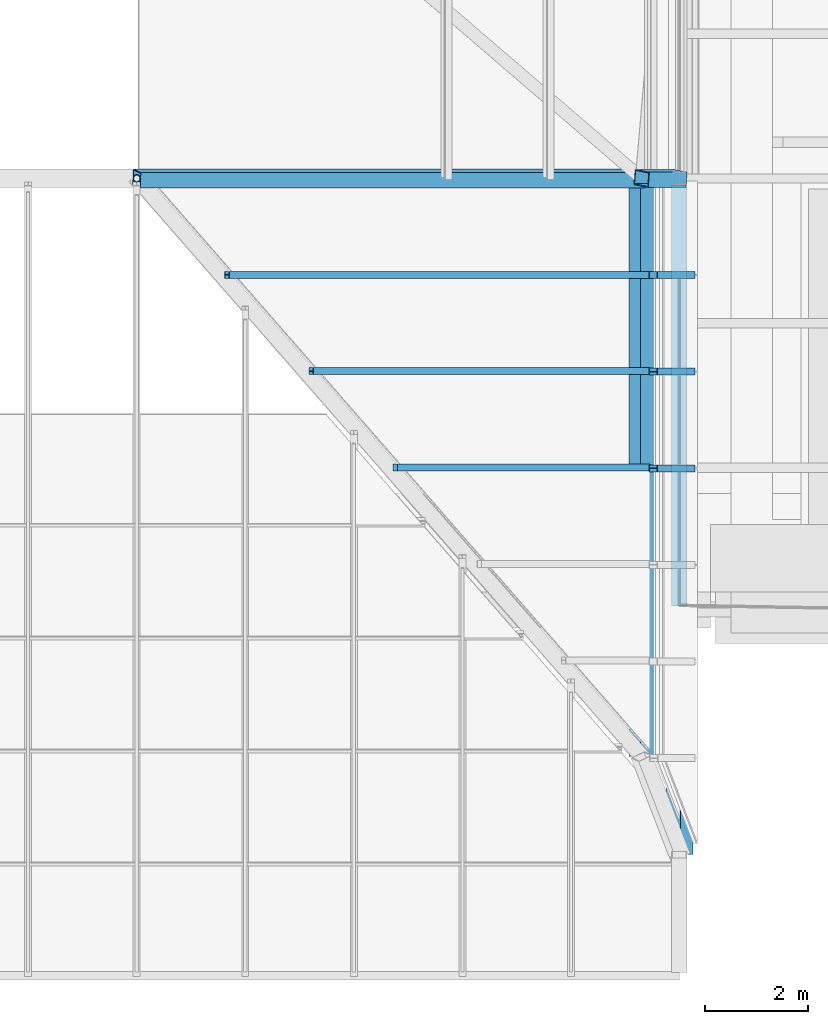
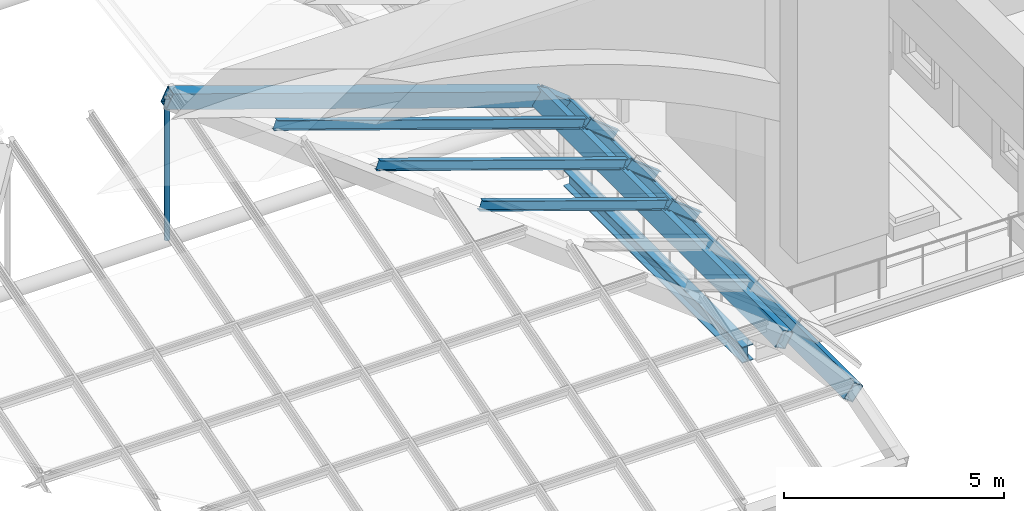
# One storey, part 22 of 76: 7 members, 5 beams.
"""IFC4 building model written with IfcOpenShell, lengths in metres."""

import ifcopenshell
import ifcopenshell.guid

model = None  # the IFC model being written
_history = None  # IfcOwnerHistory: only IFC2X3 demands one
_inside = {}  # id of a spatial element -> (the spatial element, [elements in it])
_under = {}  # id of a project, library or spatial element -> (it, [spatial elements below it])
_declared = {}  # id of a project -> (the project, [libraries it declares])
_typed = {}  # id of a type object -> (the type object, [elements of that type])
_made_of = {}  # id of a material, layer set ... -> (it, [elements and type objects made of it])


def new_model(schema):
    """Start an empty IFC model of exactly this schema.

    Asked for "IFC4X3", IfcOpenShell would pick the latest addendum, in which some entities
    have other attributes; the version numbers below select the first issue.
    IFC2X3 requires an IfcOwnerHistory on every rooted entity: one is made here for all.
    """
    global model, _history
    if schema == "IFC4X3":
        model = ifcopenshell.file(schema_version=(4, 3, 0, 0))
    else:
        model = ifcopenshell.file(schema=schema)
    _inside.clear()
    _under.clear()
    _declared.clear()
    _typed.clear()
    _made_of.clear()
    _history = None
    if model.schema == "IFC2X3":
        org = make("IfcOrganization", Name="unknown")
        user = make(
            "IfcPersonAndOrganization",
            ThePerson=make("IfcPerson", FamilyName="unknown"),
            TheOrganization=org,
        )
        app = make(
            "IfcApplication",
            ApplicationDeveloper=org,
            Version="unknown",
            ApplicationFullName="unknown",
            ApplicationIdentifier="unknown",
        )
        _history = make(
            "IfcOwnerHistory",
            OwningUser=user,
            OwningApplication=app,
            ChangeAction="ADDED",
            CreationDate=0,
        )
    return model


def make(cls, **values):
    """One entity of the class cls with the attributes given. An attribute that is None is left unset."""
    return model.create_entity(
        cls, **{name: value for name, value in values.items() if value is not None}
    )


def rooted(cls, **values):
    """An entity with a GlobalId (a new one), such as an element, a storey or a relation."""
    return make(cls, GlobalId=ifcopenshell.guid.new(), OwnerHistory=_history, **values)


def si_unit(unit_type, name, prefix=None):
    """IfcSIUnit, for example si_unit("LENGTHUNIT", "METRE", prefix="MILLI")."""
    return make("IfcSIUnit", UnitType=unit_type, Prefix=prefix, Name=name)


def assignment(units):
    """IfcUnitAssignment: the units of a project."""
    return None if units is None else make("IfcUnitAssignment", Units=units)


def point(xyz):
    """IfcCartesianPoint."""
    return None if xyz is None else make("IfcCartesianPoint", Coordinates=xyz)


def direction(xyz):
    """IfcDirection."""
    return None if xyz is None else make("IfcDirection", DirectionRatios=xyz)


def frame(location, z_axis=None, x_axis=None):
    """IfcAxis2Placement3D, a coordinate frame: its origin and axes. An axis left out is left unset."""
    return make(
        "IfcAxis2Placement3D",
        Location=point(location),
        Axis=direction(z_axis),
        RefDirection=direction(x_axis),
    )


def frame_2d(location, x_axis=None):
    """IfcAxis2Placement2D, a coordinate frame in the plane: its origin and x axis."""
    return make(
        "IfcAxis2Placement2D", Location=point(location), RefDirection=direction(x_axis)
    )


def origin():
    """The frame at (0, 0, 0) with its axes left unset."""
    return frame((0.0, 0.0, 0.0))


def origin_2d():
    """The frame at (0, 0) in the plane with its x axis left unset."""
    return frame_2d((0.0, 0.0))


def place(relative_to, where):
    """IfcLocalPlacement: puts the frame where relative to a parent placement (None: the world)."""
    return make(
        "IfcLocalPlacement", PlacementRelTo=relative_to, RelativePlacement=where
    )


def context(
    kind, dimensions, precision=None, world=None, true_north=None, identifier=None
):
    """IfcGeometricRepresentationContext, for example the 3D "Model" context."""
    return make(
        "IfcGeometricRepresentationContext",
        ContextIdentifier=identifier,
        ContextType=kind,
        CoordinateSpaceDimension=dimensions,
        Precision=precision,
        WorldCoordinateSystem=world,
        TrueNorth=true_north,
    )


def subcontext(parent, identifier, kind, view, scale=None):
    """IfcGeometricRepresentationSubContext, for example "Body" below "Model"."""
    return make(
        "IfcGeometricRepresentationSubContext",
        ContextIdentifier=identifier,
        ContextType=kind,
        ParentContext=parent,
        TargetScale=scale,
        TargetView=view,
    )


def project(units=None, contexts=None):
    """IfcProject with its units and contexts."""
    return rooted(
        "IfcProject",
        Name="project",
        RepresentationContexts=contexts,
        UnitsInContext=assignment(units),
    )


def spatial(cls, under=None, at=None, **own):
    """A site, building, storey or space (cls), placed at a placement, below another one or the project."""
    s = rooted(cls, ObjectPlacement=at, **own)
    if under is not None:
        _under.setdefault(under.id(), (under, []))[1].append(s)
    return s


def polyline(points):
    """IfcPolyline through the points."""
    return make("IfcPolyline", Points=[point(p) for p in points])


def profile(cls, at=None, kind="AREA", **sizes):
    """A parametric profile (cls). Its sizes go by their IFC names, for example OverallWidth=200.0."""
    return make(cls, ProfileType=kind, Position=at, **sizes)


def hollow_circle(**sizes):
    """IfcCircleHollowProfileDef."""
    return profile("IfcCircleHollowProfileDef", **sizes)


def i_section(**sizes):
    """IfcIShapeProfileDef."""
    return profile("IfcIShapeProfileDef", **sizes)


def outline(outer, holes=None, kind="AREA"):
    """IfcArbitraryClosedProfileDef: a profile drawn as a closed curve; with holes, ...WithVoids."""
    if holes is None:
        return make("IfcArbitraryClosedProfileDef", ProfileType=kind, OuterCurve=outer)
    return make(
        "IfcArbitraryProfileDefWithVoids",
        ProfileType=kind,
        OuterCurve=outer,
        InnerCurves=holes,
    )


def extrude(swept, where, along, depth):
    """IfcExtrudedAreaSolid: the profile swept, set in the frame where, extruded along a direction by depth."""
    return make(
        "IfcExtrudedAreaSolid",
        SweptArea=swept,
        Position=where,
        ExtrudedDirection=direction(along),
        Depth=depth,
    )


def shape(context_of_items, identifier, shape_type, items):
    """IfcShapeRepresentation: the items that make up one representation, for example the "Body"."""
    return make(
        "IfcShapeRepresentation",
        ContextOfItems=context_of_items,
        RepresentationIdentifier=identifier,
        RepresentationType=shape_type,
        Items=items,
    )


def material(Name=None, Category=None):
    """IfcMaterial."""
    return make("IfcMaterial", Name=Name, Category=Category)


def material_profile(
    of_material, cross_section, Name=None, Category=None, Priority=None
):
    """IfcMaterialProfile: a cross section and its material."""
    return make(
        "IfcMaterialProfile",
        Name=Name,
        Material=of_material,
        Profile=cross_section,
        Priority=Priority,
        Category=Category,
    )


def profile_set(profiles, Name=None, composite=None):
    """IfcMaterialProfileSet."""
    return make(
        "IfcMaterialProfileSet",
        Name=Name,
        MaterialProfiles=profiles,
        CompositeProfile=composite,
    )


def made_of(thing, what):
    """Note that an element or type object is made of a material, layer set ...; save() writes the relation."""
    if what is not None:
        _made_of.setdefault(what.id(), (what, []))[1].append(thing)
    return thing


def type_object(cls, material=None, **own):
    """A type object (cls), such as IfcWallType, which elements share."""
    return made_of(rooted(cls, **own), material)


def element(
    cls,
    number,
    at=None,
    inside=None,
    cuts=None,
    type_object=None,
    material=None,
    context=None,
    identifier="Body",
    shape_type=None,
    held_by="IfcProductDefinitionShape",
    body=None,
    shapes=None,
    **own,
):
    """One element of the class cls, such as IfcWall. Its Tag is "e" and its number.

    at: its placement. inside: the storey or other place that contains it. cuts: it is an
    opening in that element (IfcRelVoidsElement). A single representation is given by context,
    identifier, shape_type and body (its items); several are given by shapes. held_by: the class
    of the entity that holds the representations. save() writes the other relations.
    """
    e = rooted(cls, Tag="e%d" % number, ObjectPlacement=at, **own)
    if body is not None:
        shapes = [shape(context, identifier, shape_type, body)]
    if shapes is not None:
        e.Representation = make(held_by, Representations=shapes)
    if inside is not None:
        _inside.setdefault(inside.id(), (inside, []))[1].append(e)
    if cuts is not None:
        rooted(
            "IfcRelVoidsElement", RelatingBuildingElement=cuts, RelatedOpeningElement=e
        )
    if type_object is not None:
        _typed.setdefault(type_object.id(), (type_object, []))[1].append(e)
    return made_of(e, material)


def aggregate(whole, parts):
    """IfcRelAggregates: a whole, such as a stair, and the parts it consists of."""
    return rooted("IfcRelAggregates", RelatingObject=whole, RelatedObjects=parts)


def save(model, path):
    """Write the relations noted so far, then the file.

    IfcRelAggregates (storeys below a building ...), IfcRelContainedInSpatialStructure (elements
    in a storey), IfcRelDefinesByType, IfcRelAssociatesMaterial and IfcRelDeclares: one each for
    every whole, place, type object, material and project.
    """
    for whole, parts in _under.values():
        aggregate(whole, parts)
    for where, things in _inside.values():
        rooted(
            "IfcRelContainedInSpatialStructure",
            RelatedElements=things,
            RelatingStructure=where,
        )
    for kind, things in _typed.values():
        rooted("IfcRelDefinesByType", RelatedObjects=things, RelatingType=kind)
    for what, things in _made_of.values():
        rooted("IfcRelAssociatesMaterial", RelatedObjects=things, RelatingMaterial=what)
    for by, libraries in _declared.values():
        rooted("IfcRelDeclares", RelatingContext=by, RelatedDefinitions=libraries)
    model.write(path)


model = new_model("IFC4")

# Units and contexts
model_context = context("Model", 3, precision=1e-05, world=origin(), true_north=direction((0.0, 1.0)))
body_context = subcontext(model_context, "Body", "Model", "MODEL_VIEW")
ifc_project = project(units=[si_unit("LENGTHUNIT", "METRE"), si_unit("AREAUNIT", "SQUARE_METRE"), si_unit("VOLUMEUNIT", "CUBIC_METRE"), si_unit("PLANEANGLEUNIT", "RADIAN"), si_unit("MASSUNIT", "GRAM", prefix="KILO")], contexts=[model_context])

# Site, building, storey
site_placement = place(None, origin())
site = spatial("IfcSite", under=ifc_project, at=site_placement, CompositionType="ELEMENT")
building_placement = place(site_placement, origin())
building = spatial("IfcBuilding", under=site, at=building_placement, Name="Sava Quay Ferry Terminal", CompositionType="ELEMENT")
storey_placement = place(building_placement, frame((0.0, 0.0, 10.800048828125)))
storey = spatial("IfcBuildingStorey", under=building, at=storey_placement, Name="L02", CompositionType="ELEMENT", Elevation=10.800048828125)

# Beams
ifc_material_1 = material(Name="Steel S355", Category="steel")
ifc_material_profile_1 = material_profile(ifc_material_1, outline(polyline([(-0.14990234375, -0.228515625), (0.14990234375, -0.228515625), (0.14990234375, 0.228515625), (-0.14990234375, 0.228515625), (-0.14990234375, -0.228515625)]), holes=[polyline([(-0.1298828125, -0.20849609375), (-0.1298828125, 0.20849609375), (0.1298828125, 0.20849609375), (0.1298828125, -0.20849609375), (-0.1298828125, -0.20849609375)])]), Name="Box 457x300x20 built-up")
ifc_profile_set_1 = profile_set([ifc_material_profile_1], Name="Steel S355")
beam_type_1 = type_object("IfcBeamType", Name="Fascia beam Box 457x300x20", PredefinedType="BEAM", material=ifc_profile_set_1)
beam_1_placement = place(storey_placement, frame((74.8701171875, 22.411865234375, 2.036376953125), z_axis=(0.0, 1.0, 0.0), x_axis=(-0.878817112662, 0.0, 0.47715876026)))
element("IfcBeam", 1, at=beam_1_placement, inside=storey, type_object=beam_type_1, Name="Arrivals hall stern ridge fascia beam RI2", PredefinedType="BEAM", context=body_context, shape_type="SweptSolid", body=[
    extrude(outline(polyline([(-0.14990234375, -0.228515625), (0.14990234375, -0.228515625), (0.14990234375, 0.228515625), (-0.14990234375, 0.228515625), (-0.14990234375, -0.228515625)]), holes=[polyline([(-0.1298828125, -0.20849609375), (-0.1298828125, 0.20849609375), (0.1298828125, 0.20849609375), (0.1298828125, -0.20849609375), (-0.1298828125, -0.20849609375)])]), origin(), (0.0, 0.0, 1.0), 11.188232421875),
])
beam_2_placement = place(storey_placement, frame((75.60009765625, 20.514892578125, 1.466064453125), z_axis=(0.0, 1.0, 0.0), x_axis=(-0.788010753607, 0.0, 0.615661475326)))
element("IfcBeam", 2, at=beam_2_placement, inside=storey, type_object=beam_type_1, Name="Arrivals hall stern eave fascia beam EA3", PredefinedType="BEAM", context=body_context, shape_type="SweptSolid", body=[
    extrude(outline(polyline([(-0.14990234375, -0.228515625), (0.14990234375, -0.228515625), (0.14990234375, 0.228515625), (-0.14990234375, 0.228515625), (-0.14990234375, -0.228515625)]), holes=[polyline([(-0.1298828125, -0.20849609375), (-0.1298828125, 0.20849609375), (0.1298828125, 0.20849609375), (0.1298828125, -0.20849609375), (-0.1298828125, -0.20849609375)])]), origin(), (0.0, 0.0, 1.0), 13.085205078125),
])
ifc_material_2 = material(Name="Steel S355", Category="steel")
ifc_material_profile_2 = material_profile(ifc_material_2, i_section(OverallWidth=0.300048828125, OverallDepth=0.449951171875, WebThickness=0.013916015625, FlangeThickness=0.02587890625, at=origin_2d()), Name="HE 450 B")
ifc_profile_set_2 = profile_set([ifc_material_profile_2], Name="Steel S355")
beam_type_2 = type_object("IfcBeamType", Name="Girder HE 450 B", PredefinedType="BEAM", material=ifc_profile_set_2)
beam_3_placement = place(storey_placement, frame((75.60009765625, 25.330078125, -0.375), z_axis=(0.0, 1.0, 0.0), x_axis=(-1.0, 0.0, 0.0)))
element("IfcBeam", 3, at=beam_3_placement, inside=storey, type_object=beam_type_2, Name="Girder L02", PredefinedType="BEAM", context=body_context, shape_type="SweptSolid", body=[
    extrude(i_section(OverallWidth=0.300048828125, OverallDepth=0.449951171875, WebThickness=0.013916015625, FlangeThickness=0.02587890625, at=origin_2d()), origin(), (0.0, 0.0, 1.0), 8.139892578125),
])
ifc_material_3 = material(Name="Steel S355", Category="steel")
ifc_material_profile_3 = material_profile(ifc_material_3, outline(polyline([(-0.14990234375, -0.228515625), (0.14990234375, -0.228515625), (0.14990234375, 0.228515625), (-0.14990234375, 0.228515625), (-0.14990234375, -0.228515625)]), holes=[polyline([(-0.1298828125, -0.20849609375), (-0.1298828125, 0.20849609375), (0.1298828125, 0.20849609375), (0.1298828125, -0.20849609375), (-0.1298828125, -0.20849609375)])]), Name="Box 457x300x20 built-up")
ifc_profile_set_3 = profile_set([ifc_material_profile_3], Name="Steel S355")
beam_type_3 = type_object("IfcBeamType", Name="Prow edge box 457x300x20", PredefinedType="BEAM", material=ifc_profile_set_3)
beam_4_placement = place(storey_placement, frame((65.10009765625, 33.60009765625, 5.400390625), z_axis=(0.945520775213, 0.0, -0.325561766247), x_axis=(0.048874933488, 0.988667036454, 0.141946228922)))
element("IfcBeam", 4, at=beam_4_placement, inside=storey, type_object=beam_type_3, Name="Arrivals hall fascia rib R0 seg 4", PredefinedType="BEAM", context=body_context, shape_type="SweptSolid", body=[
    extrude(outline(polyline([(-0.14990234375, -0.228515625), (0.14990234375, -0.228515625), (0.14990234375, 0.228515625), (-0.14990234375, 0.228515625), (-0.14990234375, -0.228515625)]), holes=[polyline([(-0.1298828125, -0.20849609375), (-0.1298828125, 0.20849609375), (0.1298828125, 0.20849609375), (0.1298828125, -0.20849609375), (-0.1298828125, -0.20849609375)])]), origin(), (0.0, 0.0, 1.0), 10.3330078125),
])
beam_5_placement = place(storey_placement, frame((74.8701171875, 33.60009765625, 2.036376953125), z_axis=(0.788016382432, 0.0, -0.61565427069), x_axis=(0.077295039469, 0.992087366097, 0.09893500343)))
element("IfcBeam", 5, at=beam_5_placement, inside=storey, type_object=beam_type_3, Name="Arrivals hall fascia rib R0 seg 5", PredefinedType="BEAM", context=body_context, shape_type="SweptSolid", body=[
    extrude(outline(polyline([(-0.14990234375, -0.228515625), (0.14990234375, -0.228515625), (0.14990234375, 0.228515625), (-0.14990234375, 0.228515625), (-0.14990234375, -0.228515625)]), holes=[polyline([(-0.1298828125, -0.20849609375), (-0.1298828125, 0.20849609375), (0.1298828125, 0.20849609375), (0.1298828125, -0.20849609375), (-0.1298828125, -0.20849609375)])]), origin(), (0.0, 0.0, 1.0), 0.92626953125),
])

# Members
ifc_material_4 = material(Name="Steel S355", Category="steel")
ifc_material_profile_4 = material_profile(ifc_material_4, i_section(OverallWidth=0.135009765625, OverallDepth=0.27001953125, WebThickness=0.006591796875, FlangeThickness=0.01025390625, at=origin_2d()), Name="IPE 270")
ifc_profile_set_4 = profile_set([ifc_material_profile_4], Name="Steel S355")
member_type_1 = type_object("IfcMemberType", Name="Roof rafter IPE 270", PredefinedType="RAFTER", material=ifc_profile_set_4)
member_1_placement = place(storey_placement, frame((74.98828125, 28.005859375, 2.3798828125), z_axis=(-0.945513501922, 0.0, 0.325582889112), x_axis=(0.0, -1.0, 0.0)))
element("IfcMember", 6, at=member_1_placement, inside=storey, type_object=member_type_1, Name="Arrivals hall stern rafter RA14", PredefinedType="RAFTER", context=body_context, shape_type="SweptSolid", body=[
    extrude(i_section(OverallWidth=0.135009765625, OverallDepth=0.27001953125, WebThickness=0.006591796875, FlangeThickness=0.01025390625, at=origin_2d()), origin(), (0.0, 0.0, 1.0), 5.16650390625),
])
member_2_placement = place(storey_placement, frame((74.98828125, 29.87060546875, 2.3798828125), z_axis=(-0.945507360322, 0.0, 0.325600724165), x_axis=(0.0, -1.0, 0.0)))
element("IfcMember", 7, at=member_2_placement, inside=storey, type_object=member_type_1, Name="Arrivals hall stern rafter RA15", PredefinedType="RAFTER", context=body_context, shape_type="SweptSolid", body=[
    extrude(i_section(OverallWidth=0.135009765625, OverallDepth=0.27001953125, WebThickness=0.006591796875, FlangeThickness=0.01025390625, at=origin_2d()), origin(), (0.0, 0.0, 1.0), 6.888671875),
])
member_3_placement = place(storey_placement, frame((74.98828125, 31.7353515625, 2.3798828125), z_axis=(-0.945515409484, 0.0, 0.325577349379), x_axis=(0.0, -1.0, 0.0)))
element("IfcMember", 8, at=member_3_placement, inside=storey, type_object=member_type_1, Name="Arrivals hall stern rafter RA16", PredefinedType="RAFTER", context=body_context, shape_type="SweptSolid", body=[
    extrude(i_section(OverallWidth=0.135009765625, OverallDepth=0.27001953125, WebThickness=0.006591796875, FlangeThickness=0.01025390625, at=origin_2d()), origin(), (0.0, 0.0, 1.0), 8.61083984375),
])
for number, where, z_axis, x_axis, name in (
    (9, (75.82373046875, 27.9921875, 1.75244140625), (-0.788016382432, 0.0, 0.61565427069), (0.0, -1.0, 0.0), "Arrivals hall stern rafter RA20"),
    (10, (75.82373046875, 29.861328125, 1.75244140625), (-0.788016382432, 0.0, 0.61565427069), (0.0, -1.0, 0.0), "Arrivals hall stern rafter RA21"),
    (11, (75.82373046875, 31.730712890625, 1.75244140625), (-0.788016382432, 0.0, 0.61565427069), (0.0, -1.0, 0.0), "Arrivals hall stern rafter RA22"),
):
    element("IfcMember", number, at=place(storey_placement, frame(where, z_axis=z_axis, x_axis=x_axis)), inside=storey, type_object=member_type_1, Name=name, PredefinedType="RAFTER", context=body_context, shape_type="SweptSolid", body=[
        extrude(i_section(OverallWidth=0.135009765625, OverallDepth=0.27001953125, WebThickness=0.006591796875, FlangeThickness=0.01025390625, at=origin_2d()), origin(), (0.0, 0.0, 1.0), 0.92626953125),
    ])
ifc_material_5 = material(Name="Steel S355", Category="steel")
ifc_material_profile_5 = material_profile(ifc_material_5, hollow_circle(Radius=0.06982421875, WallThickness=0.008056640625, at=origin_2d()), Name="CHS 139.7 x 8.0")
ifc_profile_set_5 = profile_set([ifc_material_profile_5], Name="Steel S355")
member_type_2 = type_object("IfcMemberType", Name="Tie hanger CHS 139.7x8", PredefinedType="USERDEFINED", material=ifc_profile_set_5)
member_4_placement = place(storey_placement, frame((65.10009765625, 33.60009765625, 1.466064453125), z_axis=(0.0, 0.0, 1.0), x_axis=(1.0, 0.0, 0.0)))
element("IfcMember", 12, at=member_4_placement, inside=storey, type_object=member_type_2, Name="Arrivals hall tie hanger R0 V3", ObjectType="TIE HANGER", PredefinedType="USERDEFINED", context=body_context, shape_type="SweptSolid", body=[
    extrude(hollow_circle(Radius=0.06982421875, WallThickness=0.008056640625, at=origin_2d()), origin(), (0.0, 0.0, 1.0), 3.934326171875),
])

save(model, "model.ifc")
